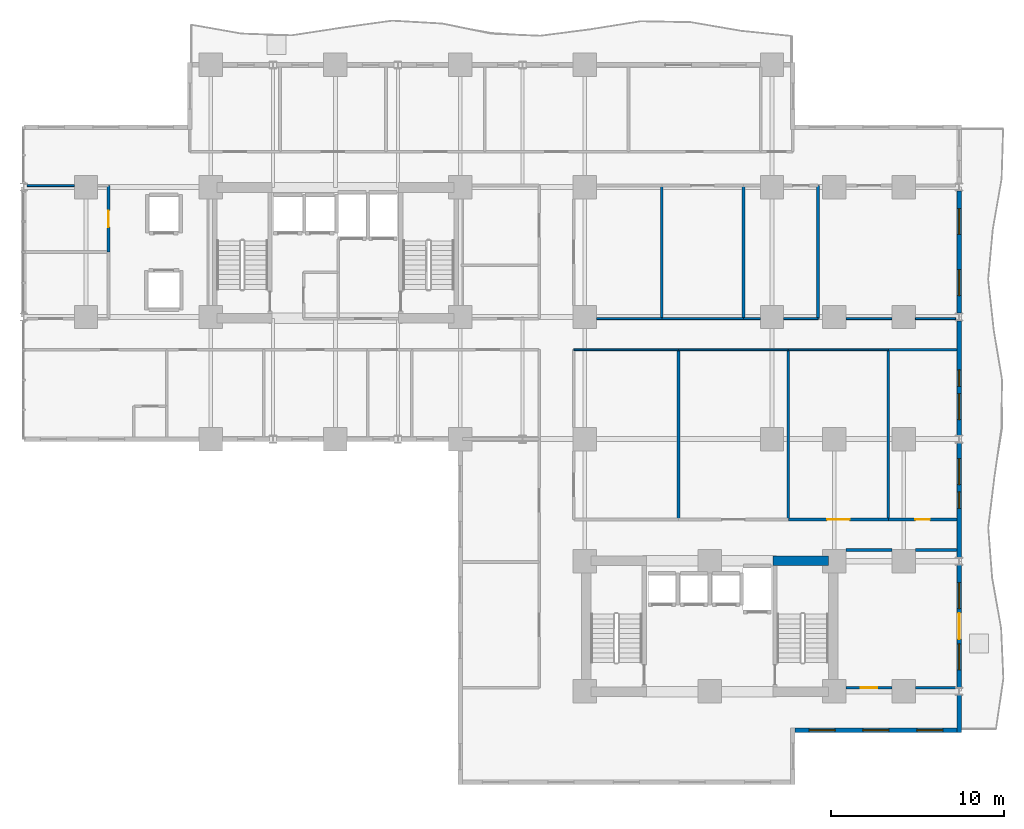
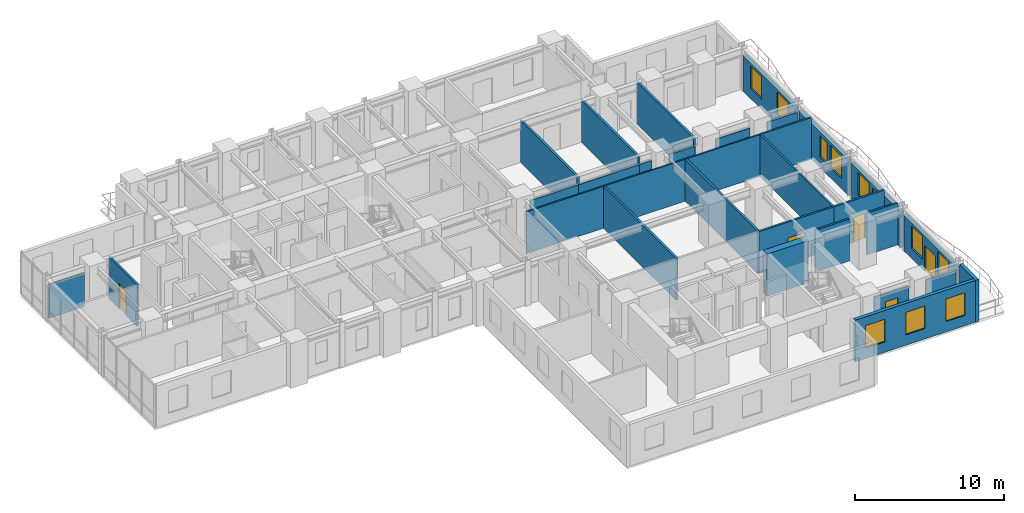
# One storey, part 11 of 17: 31 walls, 11 windows, 5 doors, 16 openings.
"""IFC4 building model written with IfcOpenShell, lengths in metres."""

from ifc_helpers import new_model, si_unit, direction, frame, frame_2d, origin, place, context, subcontext, project, spatial, rectangle, extrude, material, layer, layer_set, type_object, element, fill, save


model = new_model("IFC4")

# Units and contexts
model_context = context("Model", 3, precision=1e-05, world=origin(), true_north=direction((0.0, 1.0)))
body_context = subcontext(model_context, "Body", "Model", "MODEL_VIEW")
ifc_project = project(units=[si_unit("LENGTHUNIT", "METRE"), si_unit("AREAUNIT", "SQUARE_METRE"), si_unit("VOLUMEUNIT", "CUBIC_METRE"), si_unit("PLANEANGLEUNIT", "RADIAN"), si_unit("MASSUNIT", "GRAM", prefix="KILO")], contexts=[model_context])

# Site, building, storey
site_placement = place(None, origin())
site = spatial("IfcSite", under=ifc_project, at=site_placement, CompositionType="ELEMENT")
building_placement = place(site_placement, origin())
building = spatial("IfcBuilding", under=site, at=building_placement, Name="Kaliganga Portal Commons", CompositionType="ELEMENT")
storey_placement = place(building_placement, frame((0.0, 0.0, 62.300048828125)))
storey = spatial("IfcBuildingStorey", under=building, at=storey_placement, Name="L15", CompositionType="ELEMENT", Elevation=62.300048828125)

# Wall
ifc_material_1 = material(Name="Concrete C60/75", Category="concrete")
ifc_layer_1 = layer(ifc_material_1, 0.550048828125)
ifc_layer_set_1 = layer_set([ifc_layer_1], Name="Concrete C60/75")
wall_type_1 = type_object("IfcWallType", Name="WL-CORE-550", PredefinedType="SHEAR", material=ifc_layer_set_1)
wall_1_placement = place(storey_placement, frame((46.85009765625, 14.574951171875, 0.0), z_axis=(0.0, 0.0, 1.0), x_axis=(1.0, 0.0, 0.0)))
element("IfcWall", 1, at=wall_1_placement, inside=storey, type_object=wall_type_1, Name="Core B N-East Shear Wall L15", PredefinedType="SHEAR", context=body_context, shape_type="SweptSolid", body=[
    extrude(rectangle(XDim=3.199951171875, YDim=0.550048828125, at=frame_2d((1.60009765625, 0.0))), origin(), (0.0, 0.0, 1.0), 3.449951171875),
])

# Wall, openings, windows
ifc_material_2 = material(Name="Insulated Aluminium-Clad Spandrel Assembly", Category="aluminium")
ifc_layer_2 = layer(ifc_material_2, 0.260009765625)
ifc_layer_set_2 = layer_set([ifc_layer_2], Name="Insulated Aluminium-Clad Spandrel Assembly")
wall_type_2 = type_object("IfcWallType", Name="WL-EXT-SPAND-260", PredefinedType="STANDARD", material=ifc_layer_set_2)
wall_2_placement = place(storey_placement, frame((57.465087890625, 4.800048828125, 0.0), z_axis=(0.0, 0.0, 1.0), x_axis=(-1.0, 0.0, 0.0)))
wall_2 = element("IfcWall", 2, at=wall_2_placement, inside=storey, type_object=wall_type_2, Name="Exterior Envelope Wall L15 P1-E02-S1", PredefinedType="STANDARD", context=body_context, shape_type="SweptSolid", body=[
    extrude(rectangle(XDim=9.330078125, YDim=0.260009765625, at=frame_2d((4.6650390625, 0.0))), origin(), (0.0, 0.0, 1.0), 3.429931640625),
])
opening_1_placement = place(wall_2_placement, frame((0.804931640625, 0.0, 0.85009765625)))
opening_1 = element("IfcOpeningElement", 3, at=opening_1_placement, cuts=wall_2, Name="Opening W-02", PredefinedType="OPENING", context=body_context, shape_type="SweptSolid", body=[
    extrude(rectangle(XDim=1.5, YDim=1.85009765625, at=frame_2d((0.75, 0.925048828125))), frame((0.0, 0.14013671875, 0.0), z_axis=(0.0, -1.0, 0.0), x_axis=(1.0, 0.0, 0.0)), (0.0, 0.0, 1.0), 0.280029296875),
])
opening_2_placement = place(wall_2_placement, frame((3.9150390625, 0.0, 0.85009765625)))
opening_2 = element("IfcOpeningElement", 4, at=opening_2_placement, cuts=wall_2, Name="Opening W-02", PredefinedType="OPENING", context=body_context, shape_type="SweptSolid", body=[
    extrude(rectangle(XDim=1.5, YDim=1.85009765625, at=frame_2d((0.75, 0.925048828125))), frame((0.0, 0.14013671875, 0.0), z_axis=(0.0, -1.0, 0.0), x_axis=(1.0, 0.0, 0.0)), (0.0, 0.0, 1.0), 0.280029296875),
])
opening_3_placement = place(wall_2_placement, frame((7.02490234375, 0.0, 0.85009765625)))
opening_3 = element("IfcOpeningElement", 5, at=opening_3_placement, cuts=wall_2, Name="Opening W-02", PredefinedType="OPENING", context=body_context, shape_type="SweptSolid", body=[
    extrude(rectangle(XDim=1.5, YDim=1.85009765625, at=frame_2d((0.75, 0.925048828125))), frame((0.0, 0.14013671875, 0.0), z_axis=(0.0, -1.0, 0.0), x_axis=(1.0, 0.0, 0.0)), (0.0, 0.0, 1.0), 0.280029296875),
])
ifc_material_3 = material(Name="Thermally Broken Aluminium and Low-E Double Glazing", Category="aluminium")
window_type_1 = type_object("IfcWindowType", Name="WIN-STD-1500", PartitioningType="DOUBLE_PANEL_VERTICAL", PredefinedType="WINDOW", material=ifc_material_3)
window_1_placement = place(opening_1_placement, origin())
window_1 = element("IfcWindow", 6, at=window_1_placement, inside=storey, type_object=window_type_1, Name="Facade Window L15-P1E02S1-00", OverallHeight=1.85009765625, OverallWidth=1.5, PartitioningType="SINGLE_PANEL", PredefinedType="WINDOW", context=body_context, shape_type="SweptSolid", body=[
    extrude(rectangle(XDim=1.5, YDim=1.85009765625, at=frame_2d((0.75, 0.925048828125))), frame((0.0, 0.030029296875, 0.0), z_axis=(0.0, -1.0, 0.0), x_axis=(1.0, 0.0, 0.0)), (0.0, 0.0, 1.0), 0.06005859375),
])
fill(opening_1, window_1)
window_2_placement = place(opening_2_placement, origin())
window_2 = element("IfcWindow", 7, at=window_2_placement, inside=storey, type_object=window_type_1, Name="Facade Window L15-P1E02S1-01", OverallHeight=1.85009765625, OverallWidth=1.5, PartitioningType="SINGLE_PANEL", PredefinedType="WINDOW", context=body_context, shape_type="SweptSolid", body=[
    extrude(rectangle(XDim=1.5, YDim=1.85009765625, at=frame_2d((0.75, 0.925048828125))), frame((0.0, 0.030029296875, 0.0), z_axis=(0.0, -1.0, 0.0), x_axis=(1.0, 0.0, 0.0)), (0.0, 0.0, 1.0), 0.06005859375),
])
fill(opening_2, window_2)
window_3_placement = place(opening_3_placement, origin())
window_3 = element("IfcWindow", 8, at=window_3_placement, inside=storey, type_object=window_type_1, Name="Facade Window L15-P1E02S1-02", OverallHeight=1.85009765625, OverallWidth=1.5, PartitioningType="SINGLE_PANEL", PredefinedType="WINDOW", context=body_context, shape_type="SweptSolid", body=[
    extrude(rectangle(XDim=1.5, YDim=1.85009765625, at=frame_2d((0.75, 0.925048828125))), frame((0.0, 0.030029296875, 0.0), z_axis=(0.0, -1.0, 0.0), x_axis=(1.0, 0.0, 0.0)), (0.0, 0.0, 1.0), 0.06005859375),
])
fill(opening_3, window_3)

# Wall
wall_3_placement = place(storey_placement, frame((57.60009765625, 6.825927734375, 0.0), z_axis=(0.0, 0.0, 1.0), x_axis=(0.0, -1.0, 0.0)))
element("IfcWall", 9, at=wall_3_placement, inside=storey, type_object=wall_type_2, Name="Exterior Envelope Wall L15 P1-E03-S1", PredefinedType="STANDARD", context=body_context, shape_type="SweptSolid", body=[
    extrude(rectangle(XDim=2.156005859375, YDim=0.260009765625, at=frame_2d((1.078125, 0.0))), origin(), (0.0, 0.0, 1.0), 3.429931640625),
])

# Wall, openings, door, windows
wall_4_placement = place(storey_placement, frame((57.60009765625, 14.325927734375, 0.0), z_axis=(0.0, 0.0, 1.0), x_axis=(0.0, -1.0, 0.0)))
wall_4 = element("IfcWall", 10, at=wall_4_placement, inside=storey, type_object=wall_type_2, Name="Exterior Envelope Wall L15 P1-E03-S2", PredefinedType="STANDARD", context=body_context, shape_type="SweptSolid", body=[
    extrude(rectangle(XDim=7.052001953125, YDim=0.260009765625, at=frame_2d((3.52587890625, 0.0))), origin(), (0.0, 0.0, 1.0), 2.929931640625),
])
opening_4_placement = place(wall_4_placement, frame((2.77587890625, 0.0, 0.0)))
opening_4 = element("IfcOpeningElement", 11, at=opening_4_placement, cuts=wall_4, Name="Opening BD-01", PredefinedType="OPENING", context=body_context, shape_type="SweptSolid", body=[
    extrude(rectangle(XDim=1.5, YDim=2.14990234375, at=frame_2d((0.75, 1.074951171875))), frame((0.0, 0.14013671875, 0.0), z_axis=(0.0, -1.0, 0.0), x_axis=(1.0, 0.0, 0.0)), (0.0, 0.0, 1.0), 0.280029296875),
])
opening_5_placement = place(wall_4_placement, frame((1.012939453125, 0.0, 0.85009765625)))
opening_5 = element("IfcOpeningElement", 12, at=opening_5_placement, cuts=wall_4, Name="Opening W-02", PredefinedType="OPENING", context=body_context, shape_type="SweptSolid", body=[
    extrude(rectangle(XDim=1.5, YDim=1.85009765625, at=frame_2d((0.75, 0.925048828125))), frame((0.0, 0.14013671875, 0.0), z_axis=(0.0, -1.0, 0.0), x_axis=(1.0, 0.0, 0.0)), (0.0, 0.0, 1.0), 0.280029296875),
])
opening_6_placement = place(wall_4_placement, frame((4.5390625, 0.0, 0.85009765625)))
opening_6 = element("IfcOpeningElement", 13, at=opening_6_placement, cuts=wall_4, Name="Opening W-02", PredefinedType="OPENING", context=body_context, shape_type="SweptSolid", body=[
    extrude(rectangle(XDim=1.5, YDim=1.85009765625, at=frame_2d((0.75, 0.925048828125))), frame((0.0, 0.14013671875, 0.0), z_axis=(0.0, -1.0, 0.0), x_axis=(1.0, 0.0, 0.0)), (0.0, 0.0, 1.0), 0.280029296875),
])
ifc_material_4 = material(Name="Anodized Aluminium and Laminated Safety Glass", Category="aluminium")
door_type_1 = type_object("IfcDoorType", Name="DR-BALC-1500", OperationType="SLIDING_TO_LEFT", PredefinedType="DOOR", material=ifc_material_4)
door_1_placement = place(opening_4_placement, origin())
door_1 = element("IfcDoor", 14, at=door_1_placement, inside=storey, type_object=door_type_1, Name="Balcony Sliding Door L15 balc_east", OperationType="SLIDING_TO_LEFT", OverallHeight=2.14990234375, OverallWidth=1.5, PredefinedType="DOOR", context=body_context, shape_type="SweptSolid", body=[
    extrude(rectangle(XDim=1.5, YDim=2.14990234375, at=frame_2d((0.75, 1.074951171875))), frame((0.0, 0.02490234375, 0.0), z_axis=(0.0, -1.0, 0.0), x_axis=(1.0, 0.0, 0.0)), (0.0, 0.0, 1.0), 0.050048828125),
])
fill(opening_4, door_1)
window_4_placement = place(opening_5_placement, origin())
window_4 = element("IfcWindow", 15, at=window_4_placement, inside=storey, type_object=window_type_1, Name="Facade Window L15-P1E03S2-00", OverallHeight=1.85009765625, OverallWidth=1.5, PartitioningType="SINGLE_PANEL", PredefinedType="WINDOW", context=body_context, shape_type="SweptSolid", body=[
    extrude(rectangle(XDim=1.5, YDim=1.85009765625, at=frame_2d((0.75, 0.925048828125))), frame((0.0, 0.030029296875, 0.0), z_axis=(0.0, -1.0, 0.0), x_axis=(1.0, 0.0, 0.0)), (0.0, 0.0, 1.0), 0.06005859375),
])
fill(opening_5, window_4)
window_5_placement = place(opening_6_placement, origin())
window_5 = element("IfcWindow", 16, at=window_5_placement, inside=storey, type_object=window_type_1, Name="Facade Window L15-P1E03S2-01", OverallHeight=1.85009765625, OverallWidth=1.5, PartitioningType="SINGLE_PANEL", PredefinedType="WINDOW", context=body_context, shape_type="SweptSolid", body=[
    extrude(rectangle(XDim=1.5, YDim=1.85009765625, at=frame_2d((0.75, 0.925048828125))), frame((0.0, 0.030029296875, 0.0), z_axis=(0.0, -1.0, 0.0), x_axis=(1.0, 0.0, 0.0)), (0.0, 0.0, 1.0), 0.06005859375),
])
fill(opening_6, window_5)

# Wall, openings, windows
wall_5_placement = place(storey_placement, frame((57.60009765625, 21.3759765625, 0.0), z_axis=(0.0, 0.0, 1.0), x_axis=(0.0, -1.0, 0.0)))
wall_5 = element("IfcWall", 17, at=wall_5_placement, inside=storey, type_object=wall_type_2, Name="Exterior Envelope Wall L15 P1-E03-S3", PredefinedType="STANDARD", context=body_context, shape_type="SweptSolid", body=[
    extrude(rectangle(XDim=6.60205078125, YDim=0.260009765625, at=frame_2d((3.301025390625, 0.0))), origin(), (0.0, 0.0, 1.0), 2.929931640625),
])
opening_7_placement = place(wall_5_placement, frame((0.900390625, 0.0, 0.85009765625)))
opening_7 = element("IfcOpeningElement", 18, at=opening_7_placement, cuts=wall_5, Name="Opening W-02", PredefinedType="OPENING", context=body_context, shape_type="SweptSolid", body=[
    extrude(rectangle(XDim=1.5, YDim=1.85009765625, at=frame_2d((0.75, 0.925048828125))), frame((0.0, 0.14013671875, 0.0), z_axis=(0.0, -1.0, 0.0), x_axis=(1.0, 0.0, 0.0)), (0.0, 0.0, 1.0), 0.280029296875),
])
opening_8_placement = place(wall_5_placement, frame((2.825927734375, 0.0, 0.85009765625)))
opening_8 = element("IfcOpeningElement", 19, at=opening_8_placement, cuts=wall_5, Name="Opening W-04", PredefinedType="OPENING", context=body_context, shape_type="SweptSolid", body=[
    extrude(rectangle(XDim=0.949951171875, YDim=1.75, at=frame_2d((0.47509765625, 0.875))), frame((0.0, 0.14013671875, 0.0), z_axis=(0.0, -1.0, 0.0), x_axis=(1.0, 0.0, 0.0)), (0.0, 0.0, 1.0), 0.280029296875),
])
window_type_2 = type_object("IfcWindowType", Name="WIN-NARROW-950", PartitioningType="SINGLE_PANEL", PredefinedType="WINDOW", material=ifc_material_3)
window_6_placement = place(opening_8_placement, origin())
window_6 = element("IfcWindow", 20, at=window_6_placement, inside=storey, type_object=window_type_2, Name="Facade Window L15-P1E03S3-N0", OverallHeight=1.75, OverallWidth=0.949951171875, PartitioningType="SINGLE_PANEL", PredefinedType="WINDOW", context=body_context, shape_type="SweptSolid", body=[
    extrude(rectangle(XDim=0.949951171875, YDim=1.75, at=frame_2d((0.47509765625, 0.875))), frame((0.0, 0.030029296875, 0.0), z_axis=(0.0, -1.0, 0.0), x_axis=(1.0, 0.0, 0.0)), (0.0, 0.0, 1.0), 0.06005859375),
])
fill(opening_8, window_6)
window_7_placement = place(opening_7_placement, origin())
window_7 = element("IfcWindow", 21, at=window_7_placement, inside=storey, type_object=window_type_1, Name="Facade Window L15-P1E03S3-00", OverallHeight=1.85009765625, OverallWidth=1.5, PartitioningType="SINGLE_PANEL", PredefinedType="WINDOW", context=body_context, shape_type="SweptSolid", body=[
    extrude(rectangle(XDim=1.5, YDim=1.85009765625, at=frame_2d((0.75, 0.925048828125))), frame((0.0, 0.030029296875, 0.0), z_axis=(0.0, -1.0, 0.0), x_axis=(1.0, 0.0, 0.0)), (0.0, 0.0, 1.0), 0.06005859375),
])
fill(opening_7, window_7)

wall_6_placement = place(storey_placement, frame((57.60009765625, 28.426025390625, 0.0), z_axis=(0.0, 0.0, 1.0), x_axis=(0.0, -1.0, 0.0)))
wall_6 = element("IfcWall", 22, at=wall_6_placement, inside=storey, type_object=wall_type_2, Name="Exterior Envelope Wall L15 P1-E03-S4", PredefinedType="STANDARD", context=body_context, shape_type="SweptSolid", body=[
    extrude(rectangle(XDim=6.60205078125, YDim=0.260009765625, at=frame_2d((3.301025390625, 0.0))), origin(), (0.0, 0.0, 1.0), 2.929931640625),
])
opening_9_placement = place(wall_6_placement, frame((4.201416015625, 0.0, 0.85009765625)))
opening_9 = element("IfcOpeningElement", 23, at=opening_9_placement, cuts=wall_6, Name="Opening W-02", PredefinedType="OPENING", context=body_context, shape_type="SweptSolid", body=[
    extrude(rectangle(XDim=1.5, YDim=1.85009765625, at=frame_2d((0.75, 0.925048828125))), frame((0.0, 0.14013671875, 0.0), z_axis=(0.0, -1.0, 0.0), x_axis=(1.0, 0.0, 0.0)), (0.0, 0.0, 1.0), 0.280029296875),
])
opening_10_placement = place(wall_6_placement, frame((2.825927734375, 0.0, 0.85009765625)))
opening_10 = element("IfcOpeningElement", 24, at=opening_10_placement, cuts=wall_6, Name="Opening W-04", PredefinedType="OPENING", context=body_context, shape_type="SweptSolid", body=[
    extrude(rectangle(XDim=0.949951171875, YDim=1.75, at=frame_2d((0.47509765625, 0.875))), frame((0.0, 0.14013671875, 0.0), z_axis=(0.0, -1.0, 0.0), x_axis=(1.0, 0.0, 0.0)), (0.0, 0.0, 1.0), 0.280029296875),
])
window_8_placement = place(opening_10_placement, origin())
window_8 = element("IfcWindow", 25, at=window_8_placement, inside=storey, type_object=window_type_2, Name="Facade Window L15-P1E03S4-N0", OverallHeight=1.75, OverallWidth=0.949951171875, PartitioningType="SINGLE_PANEL", PredefinedType="WINDOW", context=body_context, shape_type="SweptSolid", body=[
    extrude(rectangle(XDim=0.949951171875, YDim=1.75, at=frame_2d((0.47509765625, 0.875))), frame((0.0, 0.030029296875, 0.0), z_axis=(0.0, -1.0, 0.0), x_axis=(1.0, 0.0, 0.0)), (0.0, 0.0, 1.0), 0.06005859375),
])
fill(opening_10, window_8)
window_9_placement = place(opening_9_placement, origin())
window_9 = element("IfcWindow", 26, at=window_9_placement, inside=storey, type_object=window_type_1, Name="Facade Window L15-P1E03S4-01", OverallHeight=1.85009765625, OverallWidth=1.5, PartitioningType="SINGLE_PANEL", PredefinedType="WINDOW", context=body_context, shape_type="SweptSolid", body=[
    extrude(rectangle(XDim=1.5, YDim=1.85009765625, at=frame_2d((0.75, 0.925048828125))), frame((0.0, 0.030029296875, 0.0), z_axis=(0.0, -1.0, 0.0), x_axis=(1.0, 0.0, 0.0)), (0.0, 0.0, 1.0), 0.06005859375),
])
fill(opening_9, window_9)

wall_7_placement = place(storey_placement, frame((57.60009765625, 35.926025390625, 0.0), z_axis=(0.0, 0.0, 1.0), x_axis=(0.0, -1.0, 0.0)))
wall_7 = element("IfcWall", 27, at=wall_7_placement, inside=storey, type_object=wall_type_2, Name="Exterior Envelope Wall L15 P1-E03-S5", PredefinedType="STANDARD", context=body_context, shape_type="SweptSolid", body=[
    extrude(rectangle(XDim=7.052001953125, YDim=0.260009765625, at=frame_2d((3.52587890625, 0.0))), origin(), (0.0, 0.0, 1.0), 2.929931640625),
])
opening_11_placement = place(wall_7_placement, frame((1.012939453125, 0.0, 0.85009765625)))
opening_11 = element("IfcOpeningElement", 28, at=opening_11_placement, cuts=wall_7, Name="Opening W-02", PredefinedType="OPENING", context=body_context, shape_type="SweptSolid", body=[
    extrude(rectangle(XDim=1.5, YDim=1.85009765625, at=frame_2d((0.75, 0.925048828125))), frame((0.0, 0.14013671875, 0.0), z_axis=(0.0, -1.0, 0.0), x_axis=(1.0, 0.0, 0.0)), (0.0, 0.0, 1.0), 0.280029296875),
])
opening_12_placement = place(wall_7_placement, frame((4.5390625, 0.0, 0.85009765625)))
opening_12 = element("IfcOpeningElement", 29, at=opening_12_placement, cuts=wall_7, Name="Opening W-02", PredefinedType="OPENING", context=body_context, shape_type="SweptSolid", body=[
    extrude(rectangle(XDim=1.5, YDim=1.85009765625, at=frame_2d((0.75, 0.925048828125))), frame((0.0, 0.14013671875, 0.0), z_axis=(0.0, -1.0, 0.0), x_axis=(1.0, 0.0, 0.0)), (0.0, 0.0, 1.0), 0.280029296875),
])
window_10_placement = place(opening_11_placement, origin())
window_10 = element("IfcWindow", 30, at=window_10_placement, inside=storey, type_object=window_type_1, Name="Facade Window L15-P1E03S5-00", OverallHeight=1.85009765625, OverallWidth=1.5, PartitioningType="SINGLE_PANEL", PredefinedType="WINDOW", context=body_context, shape_type="SweptSolid", body=[
    extrude(rectangle(XDim=1.5, YDim=1.85009765625, at=frame_2d((0.75, 0.925048828125))), frame((0.0, 0.030029296875, 0.0), z_axis=(0.0, -1.0, 0.0), x_axis=(1.0, 0.0, 0.0)), (0.0, 0.0, 1.0), 0.06005859375),
])
fill(opening_11, window_10)
window_11_placement = place(opening_12_placement, origin())
window_11 = element("IfcWindow", 31, at=window_11_placement, inside=storey, type_object=window_type_1, Name="Facade Window L15-P1E03S5-01", OverallHeight=1.85009765625, OverallWidth=1.5, PartitioningType="SINGLE_PANEL", PredefinedType="WINDOW", context=body_context, shape_type="SweptSolid", body=[
    extrude(rectangle(XDim=1.5, YDim=1.85009765625, at=frame_2d((0.75, 0.925048828125))), frame((0.0, 0.030029296875, 0.0), z_axis=(0.0, -1.0, 0.0), x_axis=(1.0, 0.0, 0.0)), (0.0, 0.0, 1.0), 0.06005859375),
])
fill(opening_12, window_11)

# Wall, opening, door
ifc_material_5 = material(Name="Fire-Rated Gypsum Board on Steel Stud", Category="steel")
ifc_layer_3 = layer(ifc_material_5, 0.14990234375)
ifc_layer_set_3 = layer_set([ifc_layer_3], Name="Fire-Rated Gypsum Board on Steel Stud")
wall_type_3 = type_object("IfcWallType", Name="WL-PART-CORR-150", PredefinedType="PARTITIONING", material=ifc_layer_set_3)
wall_8_placement = place(storey_placement, frame((51.074951171875, 7.239990234375, 0.0), z_axis=(0.0, 0.0, 1.0), x_axis=(1.0, 0.0, 0.0)))
wall_8 = element("IfcWall", 32, at=wall_8_placement, inside=storey, type_object=wall_type_3, Name="Interior Partition L15-015", PredefinedType="PARTITIONING", context=body_context, shape_type="SweptSolid", body=[
    extrude(rectangle(XDim=2.650146484375, YDim=0.14990234375, at=frame_2d((1.3251953125, 0.0))), origin(), (0.0, 0.0, 1.0), 2.780029296875),
])
opening_13_placement = place(wall_8_placement, frame((0.85009765625, 0.0, 0.0)))
opening_13 = element("IfcOpeningElement", 33, at=opening_13_placement, cuts=wall_8, Name="Opening UD-01", PredefinedType="OPENING", context=body_context, shape_type="SweptSolid", body=[
    extrude(rectangle(XDim=0.949951171875, YDim=2.10009765625, at=frame_2d((0.47509765625, 1.050048828125))), frame((0.0, 0.0849609375, 0.0), z_axis=(0.0, -1.0, 0.0), x_axis=(1.0, 0.0, 0.0)), (0.0, 0.0, 1.0), 0.169921875),
])
ifc_material_6 = material(Name="Solid-Core Timber Acoustic Fire Door", Category="wood")
door_type_2 = type_object("IfcDoorType", Name="DR-UNIT-950", OperationType="NOTDEFINED", PredefinedType="DOOR", material=ifc_material_6)
door_2_placement = place(opening_13_placement, origin())
door_2 = element("IfcDoor", 34, at=door_2_placement, inside=storey, type_object=door_type_2, Name="Interior Door L15-BE01", OperationType="SINGLE_SWING_RIGHT", OverallHeight=2.10009765625, OverallWidth=0.949951171875, PredefinedType="DOOR", context=body_context, shape_type="SweptSolid", body=[
    extrude(rectangle(XDim=0.949951171875, YDim=2.10009765625, at=frame_2d((0.47509765625, 1.050048828125))), frame((0.0, 0.02490234375, 0.0), z_axis=(0.0, -1.0, 0.0), x_axis=(1.0, 0.0, 0.0)), (0.0, 0.0, 1.0), 0.050048828125),
])
fill(opening_13, door_2)

# Walls
wall_9_placement = place(storey_placement, frame((55.074951171875, 7.239990234375, 0.0), z_axis=(0.0, 0.0, 1.0), x_axis=(1.0, 0.0, 0.0)))
element("IfcWall", 35, at=wall_9_placement, inside=storey, type_object=wall_type_3, Name="Interior Partition L15-016", PredefinedType="PARTITIONING", context=body_context, shape_type="SweptSolid", body=[
    extrude(rectangle(XDim=2.317138671875, YDim=0.14990234375, at=frame_2d((1.15869140625, 0.0))), origin(), (0.0, 0.0, 1.0), 2.780029296875),
])
wall_10_placement = place(storey_placement, frame((51.074951171875, 15.199951171875, 0.0), z_axis=(0.0, 0.0, 1.0), x_axis=(1.0, 0.0, 0.0)))
element("IfcWall", 36, at=wall_10_placement, inside=storey, type_object=wall_type_3, Name="Interior Partition L15-017", PredefinedType="PARTITIONING", context=body_context, shape_type="SweptSolid", body=[
    extrude(rectangle(XDim=2.650146484375, YDim=0.14990234375, at=frame_2d((1.3251953125, 0.0))), origin(), (0.0, 0.0, 1.0), 3.429931640625),
])
wall_11_placement = place(storey_placement, frame((55.074951171875, 15.199951171875, 0.0), z_axis=(0.0, 0.0, 1.0), x_axis=(1.0, 0.0, 0.0)))
element("IfcWall", 37, at=wall_11_placement, inside=storey, type_object=wall_type_3, Name="Interior Partition L15-018", PredefinedType="PARTITIONING", context=body_context, shape_type="SweptSolid", body=[
    extrude(rectangle(XDim=2.39306640625, YDim=0.14990234375, at=frame_2d((1.196533203125, 0.0))), origin(), (0.0, 0.0, 1.0), 3.429931640625),
])

# Wall, opening, door
wall_12_placement = place(storey_placement, frame((47.739990234375, 16.9599609375, 0.0), z_axis=(0.0, 0.0, 1.0), x_axis=(1.0, 0.0, 0.0)))
wall_12 = element("IfcWall", 38, at=wall_12_placement, inside=storey, type_object=wall_type_3, Name="Interior Partition L15-023", PredefinedType="PARTITIONING", context=body_context, shape_type="SweptSolid", body=[
    extrude(rectangle(XDim=5.780029296875, YDim=0.14990234375, at=frame_2d((2.89013671875, 0.0))), origin(), (0.0, 0.0, 1.0), 3.429931640625),
])
opening_14_placement = place(wall_12_placement, frame((2.239990234375, 0.0, 0.0)))
opening_14 = element("IfcOpeningElement", 39, at=opening_14_placement, cuts=wall_12, Name="Opening RD-03", PredefinedType="OPENING", context=body_context, shape_type="SweptSolid", body=[
    extrude(rectangle(XDim=1.300048828125, YDim=2.1201171875, at=frame_2d((0.64990234375, 1.06005859375))), frame((0.0, 0.0849609375, 0.0), z_axis=(0.0, -1.0, 0.0), x_axis=(1.0, 0.0, 0.0)), (0.0, 0.0, 1.0), 0.169921875),
])
ifc_material_7 = material(Name="Glazed Timber Seminar Vision Door", Category="wood")
door_type_3 = type_object("IfcDoorType", Name="DR-STUDY-1300", OperationType="DOUBLE_DOOR_SINGLE_SWING", PredefinedType="DOOR", material=ifc_material_7)
door_3_placement = place(opening_14_placement, origin())
door_3 = element("IfcDoor", 40, at=door_3_placement, inside=storey, type_object=door_type_3, Name="Interior Door L15-BM03", OperationType="DOUBLE_DOOR_SINGLE_SWING", OverallHeight=2.1201171875, OverallWidth=1.300048828125, PredefinedType="DOOR", context=body_context, shape_type="SweptSolid", body=[
    extrude(rectangle(XDim=1.300048828125, YDim=2.1201171875, at=frame_2d((0.64990234375, 1.06005859375))), frame((0.0, 0.02490234375, 0.0), z_axis=(0.0, -1.0, 0.0), x_axis=(1.0, 0.0, 0.0)), (0.0, 0.0, 1.0), 0.050048828125),
])
fill(opening_14, door_3)

wall_13_placement = place(storey_placement, frame((53.52001953125, 16.9599609375, 0.0), z_axis=(0.0, 0.0, 1.0), x_axis=(1.0, 0.0, 0.0)))
wall_13 = element("IfcWall", 41, at=wall_13_placement, inside=storey, type_object=wall_type_3, Name="Interior Partition L15-038", PredefinedType="PARTITIONING", context=body_context, shape_type="SweptSolid", body=[
    extrude(rectangle(XDim=3.947998046875, YDim=0.14990234375, at=frame_2d((1.97412109375, 0.0))), origin(), (0.0, 0.0, 1.0), 3.429931640625),
])
opening_15_placement = place(wall_13_placement, frame((1.549072265625, 0.0, 0.0)))
opening_15 = element("IfcOpeningElement", 42, at=opening_15_placement, cuts=wall_13, Name="Opening WD-01", PredefinedType="OPENING", context=body_context, shape_type="SweptSolid", body=[
    extrude(rectangle(XDim=0.85009765625, YDim=2.0400390625, at=frame_2d((0.425048828125, 1.02001953125))), frame((0.0, 0.0849609375, 0.0), z_axis=(0.0, -1.0, 0.0), x_axis=(1.0, 0.0, 0.0)), (0.0, 0.0, 1.0), 0.169921875),
])
ifc_material_8 = material(Name="Moisture-Resistant Laminate Timber Door", Category="wood")
door_type_4 = type_object("IfcDoorType", Name="DR-WET-850", OperationType="NOTDEFINED", PredefinedType="DOOR", material=ifc_material_8)
door_4_placement = place(opening_15_placement, origin())
door_4 = element("IfcDoor", 43, at=door_4_placement, inside=storey, type_object=door_type_4, Name="Interior Door L15-BM04", OperationType="SINGLE_SWING_RIGHT", OverallHeight=2.0400390625, OverallWidth=0.85009765625, PredefinedType="DOOR", context=body_context, shape_type="SweptSolid", body=[
    extrude(rectangle(XDim=0.85009765625, YDim=2.0400390625, at=frame_2d((0.425048828125, 1.02001953125))), frame((0.0, 0.02490234375, 0.0), z_axis=(0.0, -1.0, 0.0), x_axis=(1.0, 0.0, 0.0)), (0.0, 0.0, 1.0), 0.050048828125),
])
fill(opening_15, door_4)

wall_14_placement = place(storey_placement, frame((8.5, 32.39990234375, 0.0), z_axis=(0.0, 0.0, 1.0), x_axis=(0.0, 1.0, 0.0)))
wall_14 = element("IfcWall", 44, at=wall_14_placement, inside=storey, type_object=wall_type_3, Name="Interior Partition L15-039", PredefinedType="PARTITIONING", context=body_context, shape_type="SweptSolid", body=[
    extrude(rectangle(XDim=3.840087890625, YDim=0.14990234375, at=frame_2d((1.919921875, 0.0))), origin(), (0.0, 0.0, 1.0), 3.429931640625),
])
opening_16_placement = place(wall_14_placement, frame((1.445068359375, 0.0, 0.0)))
opening_16 = element("IfcOpeningElement", 45, at=opening_16_placement, cuts=wall_14, Name="Opening UD-01", PredefinedType="OPENING", context=body_context, shape_type="SweptSolid", body=[
    extrude(rectangle(XDim=0.949951171875, YDim=2.10009765625, at=frame_2d((0.47509765625, 1.050048828125))), frame((0.0, 0.0849609375, 0.0), z_axis=(0.0, -1.0, 0.0), x_axis=(1.0, 0.0, 0.0)), (0.0, 0.0, 1.0), 0.169921875),
])
door_5_placement = place(opening_16_placement, origin())
door_5 = element("IfcDoor", 46, at=door_5_placement, inside=storey, type_object=door_type_2, Name="Interior Door L15-AW02", OperationType="SINGLE_SWING_LEFT", OverallHeight=2.10009765625, OverallWidth=0.949951171875, PredefinedType="DOOR", context=body_context, shape_type="SweptSolid", body=[
    extrude(rectangle(XDim=0.949951171875, YDim=2.10009765625, at=frame_2d((0.47509765625, 1.050048828125))), frame((0.0, 0.02490234375, 0.0), z_axis=(0.0, -1.0, 0.0), x_axis=(1.0, 0.0, 0.0)), (0.0, 0.0, 1.0), 0.050048828125),
])
fill(opening_16, door_5)

# Walls
ifc_material_9 = material(Name="Moisture-Resistant Gypsum Partition", Category="gypsum")
ifc_layer_4 = layer(ifc_material_9, 0.114990234375)
ifc_layer_set_4 = layer_set([ifc_layer_4], Name="Moisture-Resistant Gypsum Partition")
wall_type_4 = type_object("IfcWallType", Name="WL-PART-ROOM-115", PredefinedType="PARTITIONING", material=ifc_layer_set_4)
wall_15_placement = place(storey_placement, frame((51.074951171875, 28.56005859375, 0.0), z_axis=(0.0, 0.0, 1.0), x_axis=(1.0, 0.0, 0.0)))
element("IfcWall", 47, at=wall_15_placement, inside=storey, type_object=wall_type_4, Name="Interior Partition L15-051", PredefinedType="PARTITIONING", context=body_context, shape_type="SweptSolid", body=[
    extrude(rectangle(XDim=2.650146484375, YDim=0.114990234375, at=frame_2d((1.3251953125, 0.0))), origin(), (0.0, 0.0, 1.0), 2.780029296875),
])
wall_16_placement = place(storey_placement, frame((55.074951171875, 28.56005859375, 0.0), z_axis=(0.0, 0.0, 1.0), x_axis=(1.0, 0.0, 0.0)))
element("IfcWall", 48, at=wall_16_placement, inside=storey, type_object=wall_type_4, Name="Interior Partition L15-052", PredefinedType="PARTITIONING", context=body_context, shape_type="SweptSolid", body=[
    extrude(rectangle(XDim=2.317138671875, YDim=0.114990234375, at=frame_2d((1.15869140625, 0.0))), origin(), (0.0, 0.0, 1.0), 2.780029296875),
])
wall_17_placement = place(storey_placement, frame((41.39990234375, 26.760009765625, 0.0), z_axis=(0.0, 0.0, 1.0), x_axis=(1.0, 0.0, 0.0)))
element("IfcWall", 49, at=wall_17_placement, inside=storey, type_object=wall_type_4, Name="Interior Partition L15-056", PredefinedType="PARTITIONING", context=body_context, shape_type="SweptSolid", body=[
    extrude(rectangle(XDim=6.340087890625, YDim=0.114990234375, at=frame_2d((3.169921875, 0.0))), origin(), (0.0, 0.0, 1.0), 3.429931640625),
])
wall_18_placement = place(storey_placement, frame((35.360107421875, 26.760009765625, 0.0), z_axis=(0.0, 0.0, 1.0), x_axis=(1.0, 0.0, 0.0)))
element("IfcWall", 50, at=wall_18_placement, inside=storey, type_object=wall_type_4, Name="Interior Partition L15-057", PredefinedType="PARTITIONING", context=body_context, shape_type="SweptSolid", body=[
    extrude(rectangle(XDim=6.039794921875, YDim=0.114990234375, at=frame_2d((3.02001953125, 0.0))), origin(), (0.0, 0.0, 1.0), 3.429931640625),
])
wall_19_placement = place(storey_placement, frame((47.739990234375, 26.760009765625, 0.0), z_axis=(0.0, 0.0, 1.0), x_axis=(1.0, 0.0, 0.0)))
element("IfcWall", 51, at=wall_19_placement, inside=storey, type_object=wall_type_4, Name="Interior Partition L15-058", PredefinedType="PARTITIONING", context=body_context, shape_type="SweptSolid", body=[
    extrude(rectangle(XDim=5.780029296875, YDim=0.114990234375, at=frame_2d((2.89013671875, 0.0))), origin(), (0.0, 0.0, 1.0), 3.429931640625),
])
wall_20_placement = place(storey_placement, frame((36.675048828125, 28.56005859375, 0.0), z_axis=(0.0, 0.0, 1.0), x_axis=(1.0, 0.0, 0.0)))
element("IfcWall", 52, at=wall_20_placement, inside=storey, type_object=wall_type_4, Name="Interior Partition L15-062", PredefinedType="PARTITIONING", context=body_context, shape_type="SweptSolid", body=[
    extrude(rectangle(XDim=3.764892578125, YDim=0.114990234375, at=frame_2d((1.88232421875, 0.0))), origin(), (0.0, 0.0, 1.0), 2.780029296875),
])
wall_21_placement = place(storey_placement, frame((3.80810546875, 36.239990234375, 0.0), z_axis=(0.0, 0.0, 1.0), x_axis=(1.0, 0.0, 0.0)))
element("IfcWall", 53, at=wall_21_placement, inside=storey, type_object=wall_type_4, Name="Interior Partition L15-071", PredefinedType="PARTITIONING", context=body_context, shape_type="SweptSolid", body=[
    extrude(rectangle(XDim=2.716796875, YDim=0.114990234375, at=frame_2d((1.3583984375, 0.0))), origin(), (0.0, 0.0, 1.0), 2.780029296875),
])
wall_22_placement = place(storey_placement, frame((40.43994140625, 28.56005859375, 0.0), z_axis=(0.0, 0.0, 1.0), x_axis=(1.0, 0.0, 0.0)))
element("IfcWall", 54, at=wall_22_placement, inside=storey, type_object=wall_type_4, Name="Interior Partition L15-073", PredefinedType="PARTITIONING", context=body_context, shape_type="SweptSolid", body=[
    extrude(rectangle(XDim=4.719970703125, YDim=0.114990234375, at=frame_2d((2.35986328125, 0.0))), origin(), (0.0, 0.0, 1.0), 2.780029296875),
])
wall_23_placement = place(storey_placement, frame((45.159912109375, 28.56005859375, 0.0), z_axis=(0.0, 0.0, 1.0), x_axis=(1.0, 0.0, 0.0)))
element("IfcWall", 55, at=wall_23_placement, inside=storey, type_object=wall_type_4, Name="Interior Partition L15-077", PredefinedType="PARTITIONING", context=body_context, shape_type="SweptSolid", body=[
    extrude(rectangle(XDim=0.965087890625, YDim=0.114990234375, at=frame_2d((0.482421875, 0.0))), origin(), (0.0, 0.0, 1.0), 2.780029296875),
])
wall_24_placement = place(storey_placement, frame((47.47509765625, 28.56005859375, 0.0), z_axis=(0.0, 0.0, 1.0), x_axis=(1.0, 0.0, 0.0)))
element("IfcWall", 56, at=wall_24_placement, inside=storey, type_object=wall_type_4, Name="Interior Partition L15-078", PredefinedType="PARTITIONING", context=body_context, shape_type="SweptSolid", body=[
    extrude(rectangle(XDim=1.98486328125, YDim=0.114990234375, at=frame_2d((0.992431640625, 0.0))), origin(), (0.0, 0.0, 1.0), 2.780029296875),
])
ifc_material_10 = material(Name="Twin-Stud Acoustic Gypsum Partition", Category="gypsum")
ifc_layer_5 = layer(ifc_material_10, 0.1650390625)
ifc_layer_set_5 = layer_set([ifc_layer_5], Name="Twin-Stud Acoustic Gypsum Partition")
wall_type_5 = type_object("IfcWallType", Name="WL-PART-UNIT-165", PredefinedType="PARTITIONING", material=ifc_layer_set_5)
for number, where, z_axis, x_axis, name in (
    (57, (41.39990234375, 16.9599609375, 0.0), (0.0, 0.0, 1.0), (0.0, 1.0, 0.0), "Interior Partition L15-048"),
    (58, (47.739990234375, 16.9599609375, 0.0), (0.0, 0.0, 1.0), (0.0, 1.0, 0.0), "Interior Partition L15-049"),
):
    element("IfcWall", number, at=place(storey_placement, frame(where, z_axis=z_axis, x_axis=x_axis)), inside=storey, type_object=wall_type_5, Name=name, PredefinedType="PARTITIONING", context=body_context, shape_type="SweptSolid", body=[
        extrude(rectangle(XDim=9.800048828125, YDim=0.1650390625, at=frame_2d((4.89990234375, 0.0))), origin(), (0.0, 0.0, 1.0), 3.429931640625),
    ])
for number, where, z_axis, x_axis, name in (
    (59, (40.43994140625, 28.56005859375, 0.0), (0.0, 0.0, 1.0), (0.0, 1.0, 0.0), "Interior Partition L15-053"),
    (60, (45.159912109375, 28.56005859375, 0.0), (0.0, 0.0, 1.0), (0.0, 1.0, 0.0), "Interior Partition L15-054"),
    (61, (49.4599609375, 28.56005859375, 0.0), (0.0, 0.0, 1.0), (0.0, 1.0, 0.0), "Interior Partition L15-055"),
):
    element("IfcWall", number, at=place(storey_placement, frame(where, z_axis=z_axis, x_axis=x_axis)), inside=storey, type_object=wall_type_5, Name=name, PredefinedType="PARTITIONING", context=body_context, shape_type="SweptSolid", body=[
        extrude(rectangle(XDim=7.679931640625, YDim=0.1650390625, at=frame_2d((3.83984375, 0.0))), origin(), (0.0, 0.0, 1.0), 3.429931640625),
    ])
ifc_material_11 = material(Name="Cement-Board Wet-Room Partition", Category="gypsum")
ifc_layer_6 = layer(ifc_material_11, 0.135009765625)
ifc_layer_set_6 = layer_set([ifc_layer_6], Name="Cement-Board Wet-Room Partition")
wall_type_6 = type_object("IfcWallType", Name="WL-PART-WET-135", PredefinedType="PARTITIONING", material=ifc_layer_set_6)
wall_25_placement = place(storey_placement, frame((53.52001953125, 16.9599609375, 0.0), z_axis=(0.0, 0.0, 1.0), x_axis=(0.0, 1.0, 0.0)))
element("IfcWall", 62, at=wall_25_placement, inside=storey, type_object=wall_type_6, Name="Interior Partition L15-050", PredefinedType="PARTITIONING", context=body_context, shape_type="SweptSolid", body=[
    extrude(rectangle(XDim=9.800048828125, YDim=0.135009765625, at=frame_2d((4.89990234375, 0.0))), origin(), (0.0, 0.0, 1.0), 3.429931640625),
])
wall_26_placement = place(storey_placement, frame((53.52001953125, 26.760009765625, 0.0), z_axis=(0.0, 0.0, 1.0), x_axis=(1.0, 0.0, 0.0)))
element("IfcWall", 63, at=wall_26_placement, inside=storey, type_object=wall_type_6, Name="Interior Partition L15-079", PredefinedType="PARTITIONING", context=body_context, shape_type="SweptSolid", body=[
    extrude(rectangle(XDim=3.947998046875, YDim=0.135009765625, at=frame_2d((1.97412109375, 0.0))), origin(), (0.0, 0.0, 1.0), 3.429931640625),
])

save(model, "model.ifc")
